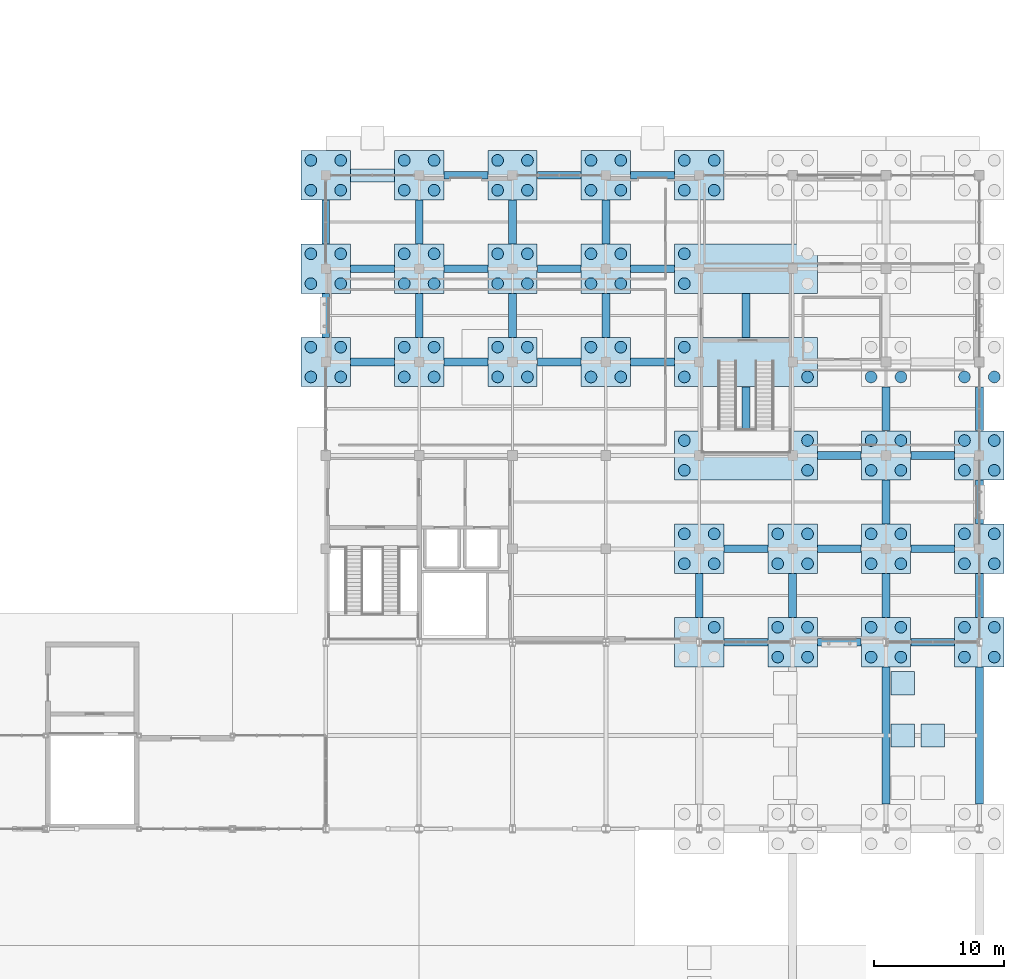
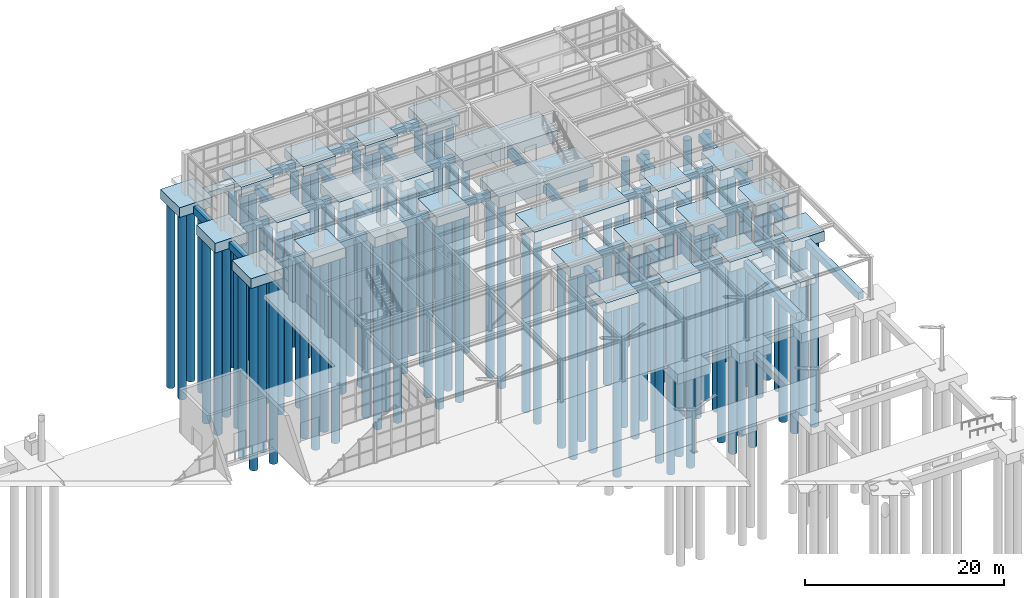
# One storey, part 3 of 75: 102 piles, 69 footings.
"""IFC4 building model written with IfcOpenShell, lengths in metres."""

from ifc_helpers import new_model, si_unit, direction, frame, origin, origin_2d, place, context, subcontext, project, spatial, rectangle, circle, extrude, material, material_profile, profile_set, type_object, element, save


model = new_model("IFC4")

# Units and contexts
model_context = context("Model", 3, precision=1e-05, world=origin(), true_north=direction((0.0, 1.0)))
body_context = subcontext(model_context, "Body", "Model", "MODEL_VIEW")
ifc_project = project(units=[si_unit("LENGTHUNIT", "METRE"), si_unit("AREAUNIT", "SQUARE_METRE"), si_unit("VOLUMEUNIT", "CUBIC_METRE"), si_unit("PLANEANGLEUNIT", "RADIAN"), si_unit("MASSUNIT", "GRAM", prefix="KILO")], contexts=[model_context])

# Site, building, storey
site_placement = place(None, origin())
site = spatial("IfcSite", under=ifc_project, at=site_placement, CompositionType="ELEMENT")
building_placement = place(site_placement, origin())
building = spatial("IfcBuilding", under=site, at=building_placement, Name="Leyfeld Transit Interchange", CompositionType="ELEMENT")
storey_placement = place(building_placement, origin())
storey = spatial("IfcBuildingStorey", under=building, at=storey_placement, Name="L00", CompositionType="ELEMENT", Elevation=0.0)

# Footings
ifc_material = material(Name="Concrete C35/45", Category="concrete")
footing_type_1 = type_object("IfcFootingType", Name="FT-GB-500x800", PredefinedType="FOOTING_BEAM", material=ifc_material)
for number, where, z_axis, x_axis, name in (
    (1, (140.39990234375, 79.199951171875, -1.300048828125), (0.0, 0.0, 1.0), (1.0, 0.0, 0.0), "Ground Beam 049"),
    (2, (140.39990234375, 86.39990234375, -1.300048828125), (0.0, 0.0, 1.0), (1.0, 0.0, 0.0), "Ground Beam 051"),
    (3, (147.60009765625, 79.199951171875, -1.300048828125), (0.0, 0.0, 1.0), (1.0, 0.0, 0.0), "Ground Beam 055"),
    (4, (147.60009765625, 86.39990234375, -1.300048828125), (0.0, 0.0, 1.0), (1.0, 0.0, 0.0), "Ground Beam 057"),
    (5, (154.800048828125, 93.60009765625, -1.300048828125), (0.0, 0.0, 1.0), (1.0, 0.0, 0.0), "Ground Beam 063"),
    (6, (162.0, 93.60009765625, -1.300048828125), (0.0, 0.0, 1.0), (1.0, 0.0, 0.0), "Ground Beam 069"),
    (7, (169.199951171875, 57.60009765625, -1.300048828125), (0.0, 0.0, 1.0), (1.0, 0.0, 0.0), "Ground Beam 073"),
    (8, (176.39990234375, 64.800048828125, -1.300048828125), (0.0, 0.0, 1.0), (1.0, 0.0, 0.0), "Ground Beam 091"),
):
    element("IfcFooting", number, at=place(storey_placement, frame(where, z_axis=z_axis, x_axis=x_axis)), inside=storey, type_object=footing_type_1, Name=name, PredefinedType="FOOTING_BEAM", context=body_context, shape_type="SweptSolid", body=[
        extrude(rectangle(XDim=3.3798828125, YDim=0.60009765625, at=origin_2d()), origin(), (0.0, 0.0, 1.0), 0.89990234375),
    ])
footing_type_2 = type_object("IfcFootingType", Name="FT-GB-600x900", PredefinedType="FOOTING_BEAM", material=ifc_material)
for number, where, z_axis, x_axis, name in (
    (9, (136.800048828125, 82.800048828125, -1.300048828125), (0.0, 0.0, 1.0), (1.0, 0.0, 0.0), "Ground Beam 048"),
    (10, (136.800048828125, 90.0, -1.300048828125), (0.0, 0.0, 1.0), (1.0, 0.0, 0.0), "Ground Beam 050"),
    (11, (144.0, 82.800048828125, -1.300048828125), (0.0, 0.0, 1.0), (1.0, 0.0, 0.0), "Ground Beam 054"),
    (12, (144.0, 90.0, -1.300048828125), (0.0, 0.0, 1.0), (1.0, 0.0, 0.0), "Ground Beam 056"),
):
    element("IfcFooting", number, at=place(storey_placement, frame(where, z_axis=z_axis, x_axis=x_axis)), inside=storey, type_object=footing_type_2, Name=name, PredefinedType="FOOTING_BEAM", context=body_context, shape_type="SweptSolid", body=[
        extrude(rectangle(XDim=0.60009765625, YDim=3.3798828125, at=origin_2d()), origin(), (0.0, 0.0, 1.0), 0.89990234375),
    ])
footing_1_placement = place(storey_placement, frame((147.60009765625, 93.60009765625, -1.300048828125), z_axis=(0.0, 0.0, 1.0), x_axis=(1.0, 0.0, 0.0)))
element("IfcFooting", 13, at=footing_1_placement, inside=storey, type_object=footing_type_2, Name="Ground Beam 058", PredefinedType="FOOTING_BEAM", context=body_context, shape_type="SweptSolid", body=[
    extrude(rectangle(XDim=3.3798828125, YDim=0.60009765625, at=origin_2d()), origin(), (0.0, 0.0, 1.0), 0.89990234375),
])
footing_2_placement = place(storey_placement, frame((151.199951171875, 82.800048828125, -1.300048828125), z_axis=(0.0, 0.0, 1.0), x_axis=(1.0, 0.0, 0.0)))
element("IfcFooting", 14, at=footing_2_placement, inside=storey, type_object=footing_type_2, Name="Ground Beam 059", PredefinedType="FOOTING_BEAM", context=body_context, shape_type="SweptSolid", body=[
    extrude(rectangle(XDim=0.60009765625, YDim=3.3798828125, at=origin_2d()), origin(), (0.0, 0.0, 1.0), 0.89990234375),
])
footing_3_placement = place(storey_placement, frame((154.800048828125, 79.199951171875, -1.300048828125), z_axis=(0.0, 0.0, 1.0), x_axis=(1.0, 0.0, 0.0)))
element("IfcFooting", 15, at=footing_3_placement, inside=storey, type_object=footing_type_2, Name="Ground Beam 060", PredefinedType="FOOTING_BEAM", context=body_context, shape_type="SweptSolid", body=[
    extrude(rectangle(XDim=3.3798828125, YDim=0.60009765625, at=origin_2d()), origin(), (0.0, 0.0, 1.0), 0.89990234375),
])
footing_4_placement = place(storey_placement, frame((151.199951171875, 90.0, -1.300048828125), z_axis=(0.0, 0.0, 1.0), x_axis=(1.0, 0.0, 0.0)))
element("IfcFooting", 16, at=footing_4_placement, inside=storey, type_object=footing_type_2, Name="Ground Beam 061", PredefinedType="FOOTING_BEAM", context=body_context, shape_type="SweptSolid", body=[
    extrude(rectangle(XDim=0.60009765625, YDim=3.3798828125, at=origin_2d()), origin(), (0.0, 0.0, 1.0), 0.89990234375),
])
footing_5_placement = place(storey_placement, frame((154.800048828125, 86.39990234375, -1.300048828125), z_axis=(0.0, 0.0, 1.0), x_axis=(1.0, 0.0, 0.0)))
element("IfcFooting", 17, at=footing_5_placement, inside=storey, type_object=footing_type_2, Name="Ground Beam 062", PredefinedType="FOOTING_BEAM", context=body_context, shape_type="SweptSolid", body=[
    extrude(rectangle(XDim=3.3798828125, YDim=0.60009765625, at=origin_2d()), origin(), (0.0, 0.0, 1.0), 0.89990234375),
])
footing_6_placement = place(storey_placement, frame((158.39990234375, 82.800048828125, -1.300048828125), z_axis=(0.0, 0.0, 1.0), x_axis=(1.0, 0.0, 0.0)))
element("IfcFooting", 18, at=footing_6_placement, inside=storey, type_object=footing_type_2, Name="Ground Beam 065", PredefinedType="FOOTING_BEAM", context=body_context, shape_type="SweptSolid", body=[
    extrude(rectangle(XDim=0.60009765625, YDim=3.3798828125, at=origin_2d()), origin(), (0.0, 0.0, 1.0), 0.89990234375),
])
footing_7_placement = place(storey_placement, frame((162.0, 79.199951171875, -1.300048828125), z_axis=(0.0, 0.0, 1.0), x_axis=(1.0, 0.0, 0.0)))
element("IfcFooting", 19, at=footing_7_placement, inside=storey, type_object=footing_type_2, Name="Ground Beam 066", PredefinedType="FOOTING_BEAM", context=body_context, shape_type="SweptSolid", body=[
    extrude(rectangle(XDim=3.3798828125, YDim=0.60009765625, at=origin_2d()), origin(), (0.0, 0.0, 1.0), 0.89990234375),
])
footing_8_placement = place(storey_placement, frame((158.39990234375, 90.0, -1.300048828125), z_axis=(0.0, 0.0, 1.0), x_axis=(1.0, 0.0, 0.0)))
element("IfcFooting", 20, at=footing_8_placement, inside=storey, type_object=footing_type_2, Name="Ground Beam 067", PredefinedType="FOOTING_BEAM", context=body_context, shape_type="SweptSolid", body=[
    extrude(rectangle(XDim=0.60009765625, YDim=3.3798828125, at=origin_2d()), origin(), (0.0, 0.0, 1.0), 0.89990234375),
])
footing_9_placement = place(storey_placement, frame((162.0, 86.39990234375, -1.300048828125), z_axis=(0.0, 0.0, 1.0), x_axis=(1.0, 0.0, 0.0)))
element("IfcFooting", 21, at=footing_9_placement, inside=storey, type_object=footing_type_2, Name="Ground Beam 068", PredefinedType="FOOTING_BEAM", context=body_context, shape_type="SweptSolid", body=[
    extrude(rectangle(XDim=3.3798828125, YDim=0.60009765625, at=origin_2d()), origin(), (0.0, 0.0, 1.0), 0.89990234375),
])
footing_10_placement = place(storey_placement, frame((165.60009765625, 61.199951171875, -1.300048828125), z_axis=(0.0, 0.0, 1.0), x_axis=(1.0, 0.0, 0.0)))
element("IfcFooting", 22, at=footing_10_placement, inside=storey, type_object=footing_type_2, Name="Ground Beam 072", PredefinedType="FOOTING_BEAM", context=body_context, shape_type="SweptSolid", body=[
    extrude(rectangle(XDim=0.60009765625, YDim=3.3798828125, at=origin_2d()), origin(), (0.0, 0.0, 1.0), 0.89990234375),
])
footing_11_placement = place(storey_placement, frame((169.199951171875, 64.800048828125, -1.300048828125), z_axis=(0.0, 0.0, 1.0), x_axis=(1.0, 0.0, 0.0)))
element("IfcFooting", 23, at=footing_11_placement, inside=storey, type_object=footing_type_2, Name="Ground Beam 074", PredefinedType="FOOTING_BEAM", context=body_context, shape_type="SweptSolid", body=[
    extrude(rectangle(XDim=3.3798828125, YDim=0.60009765625, at=origin_2d()), origin(), (0.0, 0.0, 1.0), 0.89990234375),
])
footing_12_placement = place(storey_placement, frame((169.199951171875, 75.60009765625, -1.300048828125), z_axis=(0.0, 0.0, 1.0), x_axis=(1.0, 0.0, 0.0)))
element("IfcFooting", 24, at=footing_12_placement, inside=storey, type_object=footing_type_2, Name="Ground Beam 075", PredefinedType="FOOTING_BEAM", context=body_context, shape_type="SweptSolid", body=[
    extrude(rectangle(XDim=0.60009765625, YDim=3.3798828125, at=origin_2d()), origin(), (0.0, 0.0, 1.0), 0.89990234375),
])
footing_13_placement = place(storey_placement, frame((176.39990234375, 72.0, -1.300048828125), z_axis=(0.0, 0.0, 1.0), x_axis=(1.0, 0.0, 0.0)))
element("IfcFooting", 25, at=footing_13_placement, inside=storey, type_object=footing_type_2, Name="Ground Beam 076", PredefinedType="FOOTING_BEAM", context=body_context, shape_type="SweptSolid", body=[
    extrude(rectangle(XDim=3.3798828125, YDim=0.60009765625, at=origin_2d()), origin(), (0.0, 0.0, 1.0), 0.89990234375),
])
for number, where, z_axis, x_axis, name in (
    (26, (169.199951171875, 82.800048828125, -1.300048828125), (0.0, 0.0, 1.0), (1.0, 0.0, 0.0), "Ground Beam 077"),
    (27, (172.800048828125, 61.199951171875, -1.300048828125), (0.0, 0.0, 1.0), (1.0, 0.0, 0.0), "Ground Beam 089"),
):
    element("IfcFooting", number, at=place(storey_placement, frame(where, z_axis=z_axis, x_axis=x_axis)), inside=storey, type_object=footing_type_2, Name=name, PredefinedType="FOOTING_BEAM", context=body_context, shape_type="SweptSolid", body=[
        extrude(rectangle(XDim=0.60009765625, YDim=3.3798828125, at=origin_2d()), origin(), (0.0, 0.0, 1.0), 0.89990234375),
    ])
footing_14_placement = place(storey_placement, frame((176.39990234375, 57.60009765625, -1.300048828125), z_axis=(0.0, 0.0, 1.0), x_axis=(1.0, 0.0, 0.0)))
element("IfcFooting", 28, at=footing_14_placement, inside=storey, type_object=footing_type_2, Name="Ground Beam 090", PredefinedType="FOOTING_BEAM", context=body_context, shape_type="SweptSolid", body=[
    extrude(rectangle(XDim=3.3798828125, YDim=0.60009765625, at=origin_2d()), origin(), (0.0, 0.0, 1.0), 0.89990234375),
])
footing_15_placement = place(storey_placement, frame((180.0, 50.39990234375, -1.300048828125), z_axis=(0.0, 0.0, 1.0), x_axis=(1.0, 0.0, 0.0)))
element("IfcFooting", 29, at=footing_15_placement, inside=storey, type_object=footing_type_2, Name="Ground Beam 093", PredefinedType="FOOTING_BEAM", context=body_context, shape_type="SweptSolid", body=[
    extrude(rectangle(XDim=0.60009765625, YDim=10.580078125, at=origin_2d()), origin(), (0.0, 0.0, 1.0), 0.89990234375),
])
footing_16_placement = place(storey_placement, frame((180.0, 61.199951171875, -1.300048828125), z_axis=(0.0, 0.0, 1.0), x_axis=(1.0, 0.0, 0.0)))
element("IfcFooting", 30, at=footing_16_placement, inside=storey, type_object=footing_type_2, Name="Ground Beam 095", PredefinedType="FOOTING_BEAM", context=body_context, shape_type="SweptSolid", body=[
    extrude(rectangle(XDim=0.60009765625, YDim=3.3798828125, at=origin_2d()), origin(), (0.0, 0.0, 1.0), 0.89990234375),
])
footing_17_placement = place(storey_placement, frame((183.60009765625, 57.60009765625, -1.300048828125), z_axis=(0.0, 0.0, 1.0), x_axis=(1.0, 0.0, 0.0)))
element("IfcFooting", 31, at=footing_17_placement, inside=storey, type_object=footing_type_2, Name="Ground Beam 096", PredefinedType="FOOTING_BEAM", context=body_context, shape_type="SweptSolid", body=[
    extrude(rectangle(XDim=3.3798828125, YDim=0.60009765625, at=origin_2d()), origin(), (0.0, 0.0, 1.0), 0.89990234375),
])
footing_18_placement = place(storey_placement, frame((180.0, 68.39990234375, -1.300048828125), z_axis=(0.0, 0.0, 1.0), x_axis=(1.0, 0.0, 0.0)))
element("IfcFooting", 32, at=footing_18_placement, inside=storey, type_object=footing_type_2, Name="Ground Beam 097", PredefinedType="FOOTING_BEAM", context=body_context, shape_type="SweptSolid", body=[
    extrude(rectangle(XDim=0.60009765625, YDim=3.3798828125, at=origin_2d()), origin(), (0.0, 0.0, 1.0), 0.89990234375),
])
footing_19_placement = place(storey_placement, frame((183.60009765625, 64.800048828125, -1.300048828125), z_axis=(0.0, 0.0, 1.0), x_axis=(1.0, 0.0, 0.0)))
element("IfcFooting", 33, at=footing_19_placement, inside=storey, type_object=footing_type_2, Name="Ground Beam 098", PredefinedType="FOOTING_BEAM", context=body_context, shape_type="SweptSolid", body=[
    extrude(rectangle(XDim=3.3798828125, YDim=0.60009765625, at=origin_2d()), origin(), (0.0, 0.0, 1.0), 0.89990234375),
])
footing_20_placement = place(storey_placement, frame((180.0, 75.60009765625, -1.300048828125), z_axis=(0.0, 0.0, 1.0), x_axis=(1.0, 0.0, 0.0)))
element("IfcFooting", 34, at=footing_20_placement, inside=storey, type_object=footing_type_2, Name="Ground Beam 099", PredefinedType="FOOTING_BEAM", context=body_context, shape_type="SweptSolid", body=[
    extrude(rectangle(XDim=0.60009765625, YDim=3.3798828125, at=origin_2d()), origin(), (0.0, 0.0, 1.0), 0.89990234375),
])
footing_21_placement = place(storey_placement, frame((183.60009765625, 72.0, -1.300048828125), z_axis=(0.0, 0.0, 1.0), x_axis=(1.0, 0.0, 0.0)))
element("IfcFooting", 35, at=footing_21_placement, inside=storey, type_object=footing_type_2, Name="Ground Beam 100", PredefinedType="FOOTING_BEAM", context=body_context, shape_type="SweptSolid", body=[
    extrude(rectangle(XDim=3.3798828125, YDim=0.60009765625, at=origin_2d()), origin(), (0.0, 0.0, 1.0), 0.89990234375),
])
footing_22_placement = place(storey_placement, frame((187.199951171875, 50.39990234375, -1.300048828125), z_axis=(0.0, 0.0, 1.0), x_axis=(1.0, 0.0, 0.0)))
element("IfcFooting", 36, at=footing_22_placement, inside=storey, type_object=footing_type_2, Name="Ground Beam 109", PredefinedType="FOOTING_BEAM", context=body_context, shape_type="SweptSolid", body=[
    extrude(rectangle(XDim=0.60009765625, YDim=10.580078125, at=origin_2d()), origin(), (0.0, 0.0, 1.0), 0.89990234375),
])
for number, where, z_axis, x_axis, name in (
    (37, (187.199951171875, 61.199951171875, -1.300048828125), (0.0, 0.0, 1.0), (1.0, 0.0, 0.0), "Ground Beam 110"),
    (38, (187.199951171875, 68.39990234375, -1.300048828125), (0.0, 0.0, 1.0), (1.0, 0.0, 0.0), "Ground Beam 111"),
    (39, (187.199951171875, 75.60009765625, -1.300048828125), (0.0, 0.0, 1.0), (1.0, 0.0, 0.0), "Ground Beam 112"),
):
    element("IfcFooting", number, at=place(storey_placement, frame(where, z_axis=z_axis, x_axis=x_axis)), inside=storey, type_object=footing_type_2, Name=name, PredefinedType="FOOTING_BEAM", context=body_context, shape_type="SweptSolid", body=[
        extrude(rectangle(XDim=0.60009765625, YDim=3.3798828125, at=origin_2d()), origin(), (0.0, 0.0, 1.0), 0.89990234375),
    ])
footing_type_3 = type_object("IfcFootingType", Name="FT-PAD-1800", PredefinedType="PAD_FOOTING", material=ifc_material)
for number, where, z_axis, x_axis, name in (
    (40, (181.2958984375, 50.39990234375, -1.0), (0.0, 0.0, 1.0), (1.0, 0.0, 0.0), "Slab Support Pad Footing 021"),
    (41, (181.2958984375, 54.431884765625, -1.0), (0.0, 0.0, 1.0), (1.0, 0.0, 0.0), "Slab Support Pad Footing 022"),
    (42, (183.60009765625, 50.39990234375, -1.0), (0.0, 0.0, 1.0), (1.0, 0.0, 0.0), "Slab Support Pad Footing 024"),
):
    element("IfcFooting", number, at=place(storey_placement, frame(where, z_axis=z_axis, x_axis=x_axis)), inside=storey, type_object=footing_type_3, Name=name, PredefinedType="PAD_FOOTING", context=body_context, shape_type="SweptSolid", body=[
        extrude(rectangle(XDim=1.800048828125, YDim=1.800048828125, at=origin_2d()), origin(), (0.0, 0.0, 1.0), 0.699951171875),
    ])
footing_type_4 = type_object("IfcFootingType", Name="FT-PC-11000x3800", PredefinedType="PILE_CAP", material=ifc_material)
for number, where, z_axis, x_axis, name in (
    (43, (169.199951171875, 72.0, -1.39990234375), (0.0, 0.0, 1.0), (1.0, 0.0, 0.0), "Foundation FTG-L00-058"),
    (44, (169.199951171875, 79.199951171875, -1.39990234375), (0.0, 0.0, 1.0), (1.0, 0.0, 0.0), "Foundation FTG-L00-059"),
    (45, (169.199951171875, 86.39990234375, -1.39990234375), (0.0, 0.0, 1.0), (1.0, 0.0, 0.0), "Foundation FTG-L00-060"),
):
    element("IfcFooting", number, at=place(storey_placement, frame(where, z_axis=z_axis, x_axis=x_axis)), inside=storey, type_object=footing_type_4, Name=name, PredefinedType="PILE_CAP", context=body_context, shape_type="SweptSolid", body=[
        extrude(rectangle(XDim=11.0, YDim=3.800048828125, at=origin_2d()), origin(), (0.0, 0.0, 1.0), 1.39990234375),
    ])
footing_type_5 = type_object("IfcFootingType", Name="FT-PC-3800x3800", PredefinedType="PILE_CAP", material=ifc_material)
for number, where, z_axis, x_axis, name in (
    (46, (136.800048828125, 79.199951171875, -1.2001953125), (0.0, 0.0, 1.0), (1.0, 0.0, 0.0), "Foundation FTG-L00-041"),
    (47, (136.800048828125, 86.39990234375, -1.2001953125), (0.0, 0.0, 1.0), (1.0, 0.0, 0.0), "Foundation FTG-L00-042"),
    (48, (136.800048828125, 93.60009765625, -1.2001953125), (0.0, 0.0, 1.0), (1.0, 0.0, 0.0), "Foundation FTG-L00-043"),
    (49, (144.0, 79.199951171875, -1.2001953125), (0.0, 0.0, 1.0), (1.0, 0.0, 0.0), "Foundation FTG-L00-045"),
    (50, (144.0, 86.39990234375, -1.2001953125), (0.0, 0.0, 1.0), (1.0, 0.0, 0.0), "Foundation FTG-L00-046"),
    (51, (144.0, 93.60009765625, -1.2001953125), (0.0, 0.0, 1.0), (1.0, 0.0, 0.0), "Foundation FTG-L00-047"),
    (52, (151.199951171875, 79.199951171875, -1.2001953125), (0.0, 0.0, 1.0), (1.0, 0.0, 0.0), "Foundation FTG-L00-048"),
    (53, (151.199951171875, 86.39990234375, -1.2001953125), (0.0, 0.0, 1.0), (1.0, 0.0, 0.0), "Foundation FTG-L00-049"),
    (54, (151.199951171875, 93.60009765625, -1.2001953125), (0.0, 0.0, 1.0), (1.0, 0.0, 0.0), "Foundation FTG-L00-050"),
    (55, (158.39990234375, 79.199951171875, -1.2001953125), (0.0, 0.0, 1.0), (1.0, 0.0, 0.0), "Foundation FTG-L00-052"),
    (56, (158.39990234375, 86.39990234375, -1.2001953125), (0.0, 0.0, 1.0), (1.0, 0.0, 0.0), "Foundation FTG-L00-053"),
    (57, (158.39990234375, 93.60009765625, -1.2001953125), (0.0, 0.0, 1.0), (1.0, 0.0, 0.0), "Foundation FTG-L00-054"),
    (58, (165.60009765625, 57.60009765625, -1.2001953125), (0.0, 0.0, 1.0), (1.0, 0.0, 0.0), "Foundation FTG-L00-056"),
    (59, (165.60009765625, 64.800048828125, -1.2001953125), (0.0, 0.0, 1.0), (1.0, 0.0, 0.0), "Foundation FTG-L00-057"),
    (60, (165.60009765625, 93.60009765625, -1.2001953125), (0.0, 0.0, 1.0), (1.0, 0.0, 0.0), "Foundation FTG-L00-061"),
    (61, (172.800048828125, 57.60009765625, -1.2001953125), (0.0, 0.0, 1.0), (1.0, 0.0, 0.0), "Foundation FTG-L00-066"),
    (62, (172.800048828125, 64.800048828125, -1.2001953125), (0.0, 0.0, 1.0), (1.0, 0.0, 0.0), "Foundation FTG-L00-067"),
    (63, (180.0, 57.60009765625, -1.2001953125), (0.0, 0.0, 1.0), (1.0, 0.0, 0.0), "Foundation FTG-L00-070"),
    (64, (180.0, 64.800048828125, -1.2001953125), (0.0, 0.0, 1.0), (1.0, 0.0, 0.0), "Foundation FTG-L00-071"),
    (65, (180.0, 72.0, -1.2001953125), (0.0, 0.0, 1.0), (1.0, 0.0, 0.0), "Foundation FTG-L00-072"),
    (66, (187.199951171875, 57.60009765625, -1.2001953125), (0.0, 0.0, 1.0), (1.0, 0.0, 0.0), "Foundation FTG-L00-080"),
    (67, (187.199951171875, 64.800048828125, -1.2001953125), (0.0, 0.0, 1.0), (1.0, 0.0, 0.0), "Foundation FTG-L00-081"),
    (68, (187.199951171875, 72.0, -1.2001953125), (0.0, 0.0, 1.0), (1.0, 0.0, 0.0), "Foundation FTG-L00-082"),
):
    element("IfcFooting", number, at=place(storey_placement, frame(where, z_axis=z_axis, x_axis=x_axis)), inside=storey, type_object=footing_type_5, Name=name, PredefinedType="PILE_CAP", context=body_context, shape_type="SweptSolid", body=[
        extrude(rectangle(XDim=3.800048828125, YDim=3.800048828125, at=origin_2d()), origin(), (0.0, 0.0, 1.0), 1.199951171875),
    ])
footing_type_6 = type_object("IfcFootingType", Name="FT-SF-1200x700", PredefinedType="STRIP_FOOTING", material=ifc_material)
footing_23_placement = place(storey_placement, frame((140.39990234375, 93.60009765625, -1.10009765625), z_axis=(0.0, 0.0, 1.0), x_axis=(1.0, 0.0, 0.0)))
element("IfcFooting", 69, at=footing_23_placement, inside=storey, type_object=footing_type_6, Name="Strip Footing 016", PredefinedType="STRIP_FOOTING", context=body_context, shape_type="SweptSolid", body=[
    extrude(rectangle(XDim=3.3798828125, YDim=1.0, at=origin_2d()), origin(), (0.0, 0.0, 1.0), 0.699951171875),
])

# Piles
ifc_material_profile = material_profile(ifc_material, circle(Radius=0.449951171875, at=origin_2d()), Name="PILE D900")
ifc_profile_set = profile_set([ifc_material_profile], Name="Concrete C35/45")
pile_type = type_object("IfcPileType", Name="PILE-PL-900", PredefinedType="BORED", material=ifc_profile_set)
for number, where, z_axis, x_axis, name in (
    (70, (135.64990234375, 78.050048828125, -1.050048828125), (0.0, 0.0, -1.0), (1.0, 0.0, 0.0), "Cap Bored Pile 0327"),
    (71, (135.64990234375, 80.35009765625, -1.050048828125), (0.0, 0.0, -1.0), (1.0, 0.0, 0.0), "Cap Bored Pile 0328"),
    (72, (137.949951171875, 78.050048828125, -1.050048828125), (0.0, 0.0, -1.0), (1.0, 0.0, 0.0), "Cap Bored Pile 0329"),
    (73, (137.949951171875, 80.35009765625, -1.050048828125), (0.0, 0.0, -1.0), (1.0, 0.0, 0.0), "Cap Bored Pile 0330"),
    (74, (135.64990234375, 85.25, -1.050048828125), (0.0, 0.0, -1.0), (1.0, 0.0, 0.0), "Cap Bored Pile 0331"),
    (75, (135.64990234375, 87.550048828125, -1.050048828125), (0.0, 0.0, -1.0), (1.0, 0.0, 0.0), "Cap Bored Pile 0332"),
    (76, (137.949951171875, 85.25, -1.050048828125), (0.0, 0.0, -1.0), (1.0, 0.0, 0.0), "Cap Bored Pile 0333"),
    (77, (137.949951171875, 87.550048828125, -1.050048828125), (0.0, 0.0, -1.0), (1.0, 0.0, 0.0), "Cap Bored Pile 0334"),
    (78, (135.64990234375, 92.449951171875, -1.050048828125), (0.0, 0.0, -1.0), (1.0, 0.0, 0.0), "Cap Bored Pile 0335"),
    (79, (135.64990234375, 94.75, -1.050048828125), (0.0, 0.0, -1.0), (1.0, 0.0, 0.0), "Cap Bored Pile 0336"),
    (80, (137.949951171875, 92.449951171875, -1.050048828125), (0.0, 0.0, -1.0), (1.0, 0.0, 0.0), "Cap Bored Pile 0337"),
    (81, (137.949951171875, 94.75, -1.050048828125), (0.0, 0.0, -1.0), (1.0, 0.0, 0.0), "Cap Bored Pile 0338"),
    (82, (142.85009765625, 78.050048828125, -1.050048828125), (0.0, 0.0, -1.0), (1.0, 0.0, 0.0), "Cap Bored Pile 0343"),
    (83, (142.85009765625, 80.35009765625, -1.050048828125), (0.0, 0.0, -1.0), (1.0, 0.0, 0.0), "Cap Bored Pile 0344"),
    (84, (145.14990234375, 78.050048828125, -1.050048828125), (0.0, 0.0, -1.0), (1.0, 0.0, 0.0), "Cap Bored Pile 0345"),
    (85, (145.14990234375, 80.35009765625, -1.050048828125), (0.0, 0.0, -1.0), (1.0, 0.0, 0.0), "Cap Bored Pile 0346"),
    (86, (142.85009765625, 85.25, -1.050048828125), (0.0, 0.0, -1.0), (1.0, 0.0, 0.0), "Cap Bored Pile 0347"),
    (87, (142.85009765625, 87.550048828125, -1.050048828125), (0.0, 0.0, -1.0), (1.0, 0.0, 0.0), "Cap Bored Pile 0348"),
    (88, (145.14990234375, 85.25, -1.050048828125), (0.0, 0.0, -1.0), (1.0, 0.0, 0.0), "Cap Bored Pile 0349"),
    (89, (145.14990234375, 87.550048828125, -1.050048828125), (0.0, 0.0, -1.0), (1.0, 0.0, 0.0), "Cap Bored Pile 0350"),
    (90, (142.85009765625, 92.449951171875, -1.050048828125), (0.0, 0.0, -1.0), (1.0, 0.0, 0.0), "Cap Bored Pile 0351"),
    (91, (142.85009765625, 94.75, -1.050048828125), (0.0, 0.0, -1.0), (1.0, 0.0, 0.0), "Cap Bored Pile 0352"),
    (92, (145.14990234375, 92.449951171875, -1.050048828125), (0.0, 0.0, -1.0), (1.0, 0.0, 0.0), "Cap Bored Pile 0353"),
    (93, (145.14990234375, 94.75, -1.050048828125), (0.0, 0.0, -1.0), (1.0, 0.0, 0.0), "Cap Bored Pile 0354"),
    (94, (150.050048828125, 78.050048828125, -1.050048828125), (0.0, 0.0, -1.0), (1.0, 0.0, 0.0), "Cap Bored Pile 0355"),
    (95, (150.050048828125, 80.35009765625, -1.050048828125), (0.0, 0.0, -1.0), (1.0, 0.0, 0.0), "Cap Bored Pile 0356"),
    (96, (152.35009765625, 78.050048828125, -1.050048828125), (0.0, 0.0, -1.0), (1.0, 0.0, 0.0), "Cap Bored Pile 0357"),
    (97, (152.35009765625, 80.35009765625, -1.050048828125), (0.0, 0.0, -1.0), (1.0, 0.0, 0.0), "Cap Bored Pile 0358"),
    (98, (150.050048828125, 85.25, -1.050048828125), (0.0, 0.0, -1.0), (1.0, 0.0, 0.0), "Cap Bored Pile 0359"),
    (99, (150.050048828125, 87.550048828125, -1.050048828125), (0.0, 0.0, -1.0), (1.0, 0.0, 0.0), "Cap Bored Pile 0360"),
    (100, (152.35009765625, 85.25, -1.050048828125), (0.0, 0.0, -1.0), (1.0, 0.0, 0.0), "Cap Bored Pile 0361"),
    (101, (152.35009765625, 87.550048828125, -1.050048828125), (0.0, 0.0, -1.0), (1.0, 0.0, 0.0), "Cap Bored Pile 0362"),
    (102, (150.050048828125, 92.449951171875, -1.050048828125), (0.0, 0.0, -1.0), (1.0, 0.0, 0.0), "Cap Bored Pile 0363"),
    (103, (150.050048828125, 94.75, -1.050048828125), (0.0, 0.0, -1.0), (1.0, 0.0, 0.0), "Cap Bored Pile 0364"),
    (104, (152.35009765625, 92.449951171875, -1.050048828125), (0.0, 0.0, -1.0), (1.0, 0.0, 0.0), "Cap Bored Pile 0365"),
    (105, (152.35009765625, 94.75, -1.050048828125), (0.0, 0.0, -1.0), (1.0, 0.0, 0.0), "Cap Bored Pile 0366"),
    (106, (157.25, 78.050048828125, -1.050048828125), (0.0, 0.0, -1.0), (1.0, 0.0, 0.0), "Cap Bored Pile 0371"),
    (107, (157.25, 80.35009765625, -1.050048828125), (0.0, 0.0, -1.0), (1.0, 0.0, 0.0), "Cap Bored Pile 0372"),
    (108, (159.550048828125, 78.050048828125, -1.050048828125), (0.0, 0.0, -1.0), (1.0, 0.0, 0.0), "Cap Bored Pile 0373"),
    (109, (159.550048828125, 80.35009765625, -1.050048828125), (0.0, 0.0, -1.0), (1.0, 0.0, 0.0), "Cap Bored Pile 0374"),
    (110, (157.25, 85.25, -1.050048828125), (0.0, 0.0, -1.0), (1.0, 0.0, 0.0), "Cap Bored Pile 0375"),
    (111, (157.25, 87.550048828125, -1.050048828125), (0.0, 0.0, -1.0), (1.0, 0.0, 0.0), "Cap Bored Pile 0376"),
    (112, (159.550048828125, 85.25, -1.050048828125), (0.0, 0.0, -1.0), (1.0, 0.0, 0.0), "Cap Bored Pile 0377"),
    (113, (159.550048828125, 87.550048828125, -1.050048828125), (0.0, 0.0, -1.0), (1.0, 0.0, 0.0), "Cap Bored Pile 0378"),
    (114, (157.25, 92.449951171875, -1.050048828125), (0.0, 0.0, -1.0), (1.0, 0.0, 0.0), "Cap Bored Pile 0379"),
    (115, (157.25, 94.75, -1.050048828125), (0.0, 0.0, -1.0), (1.0, 0.0, 0.0), "Cap Bored Pile 0380"),
    (116, (159.550048828125, 92.449951171875, -1.050048828125), (0.0, 0.0, -1.0), (1.0, 0.0, 0.0), "Cap Bored Pile 0381"),
    (117, (159.550048828125, 94.75, -1.050048828125), (0.0, 0.0, -1.0), (1.0, 0.0, 0.0), "Cap Bored Pile 0382"),
    (118, (166.75, 58.75, -1.050048828125), (0.0, 0.0, -1.0), (1.0, 0.0, 0.0), "Cap Bored Pile 0390"),
    (119, (164.449951171875, 63.64990234375, -1.050048828125), (0.0, 0.0, -1.0), (1.0, 0.0, 0.0), "Cap Bored Pile 0391"),
    (120, (164.449951171875, 65.949951171875, -1.050048828125), (0.0, 0.0, -1.0), (1.0, 0.0, 0.0), "Cap Bored Pile 0392"),
    (121, (166.75, 63.64990234375, -1.050048828125), (0.0, 0.0, -1.0), (1.0, 0.0, 0.0), "Cap Bored Pile 0393"),
    (122, (166.75, 65.949951171875, -1.050048828125), (0.0, 0.0, -1.0), (1.0, 0.0, 0.0), "Cap Bored Pile 0394"),
):
    element("IfcPile", number, at=place(storey_placement, frame(where, z_axis=z_axis, x_axis=x_axis)), inside=storey, type_object=pile_type, Name=name, PredefinedType="BORED", context=body_context, shape_type="SweptSolid", body=[
        extrude(circle(Radius=0.449951171875, at=origin_2d()), origin(), (0.0, 0.0, 1.0), 22.949951171875),
    ])
for number, where, z_axis, x_axis, name in (
    (123, (164.449951171875, 70.85009765625, -1.25), (0.0, 0.0, -1.0), (1.0, 0.0, 0.0), "Cap Bored Pile 0395"),
    (124, (164.449951171875, 73.14990234375, -1.25), (0.0, 0.0, -1.0), (1.0, 0.0, 0.0), "Cap Bored Pile 0396"),
    (125, (173.949951171875, 70.85009765625, -1.25), (0.0, 0.0, -1.0), (1.0, 0.0, 0.0), "Cap Bored Pile 0397"),
    (126, (173.949951171875, 73.14990234375, -1.25), (0.0, 0.0, -1.0), (1.0, 0.0, 0.0), "Cap Bored Pile 0398"),
    (127, (164.449951171875, 78.050048828125, -1.25), (0.0, 0.0, -1.0), (1.0, 0.0, 0.0), "Cap Bored Pile 0399"),
    (128, (164.449951171875, 80.35009765625, -1.25), (0.0, 0.0, -1.0), (1.0, 0.0, 0.0), "Cap Bored Pile 0400"),
    (129, (173.949951171875, 78.050048828125, -1.25), (0.0, 0.0, -1.0), (1.0, 0.0, 0.0), "Cap Bored Pile 0401"),
    (130, (164.449951171875, 85.25, -1.25), (0.0, 0.0, -1.0), (1.0, 0.0, 0.0), "Cap Bored Pile 0403"),
    (131, (164.449951171875, 87.550048828125, -1.25), (0.0, 0.0, -1.0), (1.0, 0.0, 0.0), "Cap Bored Pile 0404"),
):
    element("IfcPile", number, at=place(storey_placement, frame(where, z_axis=z_axis, x_axis=x_axis)), inside=storey, type_object=pile_type, Name=name, PredefinedType="BORED", context=body_context, shape_type="SweptSolid", body=[
        extrude(circle(Radius=0.449951171875, at=origin_2d()), origin(), (0.0, 0.0, 1.0), 22.75),
    ])
for number, where, z_axis, x_axis, name in (
    (132, (164.449951171875, 92.449951171875, -1.050048828125), (0.0, 0.0, -1.0), (1.0, 0.0, 0.0), "Cap Bored Pile 0407"),
    (133, (164.449951171875, 94.75, -1.050048828125), (0.0, 0.0, -1.0), (1.0, 0.0, 0.0), "Cap Bored Pile 0408"),
    (134, (166.75, 92.449951171875, -1.050048828125), (0.0, 0.0, -1.0), (1.0, 0.0, 0.0), "Cap Bored Pile 0409"),
    (135, (166.75, 94.75, -1.050048828125), (0.0, 0.0, -1.0), (1.0, 0.0, 0.0), "Cap Bored Pile 0410"),
    (136, (171.64990234375, 56.449951171875, -1.050048828125), (0.0, 0.0, -1.0), (1.0, 0.0, 0.0), "Cap Bored Pile 0427"),
    (137, (171.64990234375, 58.75, -1.050048828125), (0.0, 0.0, -1.0), (1.0, 0.0, 0.0), "Cap Bored Pile 0428"),
    (138, (173.949951171875, 56.449951171875, -1.050048828125), (0.0, 0.0, -1.0), (1.0, 0.0, 0.0), "Cap Bored Pile 0429"),
    (139, (173.949951171875, 58.75, -1.050048828125), (0.0, 0.0, -1.0), (1.0, 0.0, 0.0), "Cap Bored Pile 0430"),
    (140, (171.64990234375, 63.64990234375, -1.050048828125), (0.0, 0.0, -1.0), (1.0, 0.0, 0.0), "Cap Bored Pile 0431"),
    (141, (171.64990234375, 65.949951171875, -1.050048828125), (0.0, 0.0, -1.0), (1.0, 0.0, 0.0), "Cap Bored Pile 0432"),
    (142, (173.949951171875, 63.64990234375, -1.050048828125), (0.0, 0.0, -1.0), (1.0, 0.0, 0.0), "Cap Bored Pile 0433"),
    (143, (173.949951171875, 65.949951171875, -1.050048828125), (0.0, 0.0, -1.0), (1.0, 0.0, 0.0), "Cap Bored Pile 0434"),
    (144, (178.85009765625, 56.449951171875, -1.050048828125), (0.0, 0.0, -1.0), (1.0, 0.0, 0.0), "Cap Bored Pile 0443"),
    (145, (178.85009765625, 58.75, -1.050048828125), (0.0, 0.0, -1.0), (1.0, 0.0, 0.0), "Cap Bored Pile 0444"),
    (146, (181.14990234375, 56.449951171875, -1.050048828125), (0.0, 0.0, -1.0), (1.0, 0.0, 0.0), "Cap Bored Pile 0445"),
    (147, (181.14990234375, 58.75, -1.050048828125), (0.0, 0.0, -1.0), (1.0, 0.0, 0.0), "Cap Bored Pile 0446"),
    (148, (178.85009765625, 63.64990234375, -1.050048828125), (0.0, 0.0, -1.0), (1.0, 0.0, 0.0), "Cap Bored Pile 0447"),
    (149, (178.85009765625, 65.949951171875, -1.050048828125), (0.0, 0.0, -1.0), (1.0, 0.0, 0.0), "Cap Bored Pile 0448"),
    (150, (181.14990234375, 63.64990234375, -1.050048828125), (0.0, 0.0, -1.0), (1.0, 0.0, 0.0), "Cap Bored Pile 0449"),
    (151, (181.14990234375, 65.949951171875, -1.050048828125), (0.0, 0.0, -1.0), (1.0, 0.0, 0.0), "Cap Bored Pile 0450"),
    (152, (178.85009765625, 70.85009765625, -1.050048828125), (0.0, 0.0, -1.0), (1.0, 0.0, 0.0), "Cap Bored Pile 0451"),
    (153, (178.85009765625, 73.14990234375, -1.050048828125), (0.0, 0.0, -1.0), (1.0, 0.0, 0.0), "Cap Bored Pile 0452"),
    (154, (181.14990234375, 70.85009765625, -1.050048828125), (0.0, 0.0, -1.0), (1.0, 0.0, 0.0), "Cap Bored Pile 0453"),
    (155, (181.14990234375, 73.14990234375, -1.050048828125), (0.0, 0.0, -1.0), (1.0, 0.0, 0.0), "Cap Bored Pile 0454"),
    (156, (178.85009765625, 78.050048828125, -1.050048828125), (0.0, 0.0, -1.0), (1.0, 0.0, 0.0), "Cap Bored Pile 0455"),
    (157, (181.14990234375, 78.050048828125, -1.050048828125), (0.0, 0.0, -1.0), (1.0, 0.0, 0.0), "Cap Bored Pile 0457"),
    (158, (186.050048828125, 56.449951171875, -1.050048828125), (0.0, 0.0, -1.0), (1.0, 0.0, 0.0), "Cap Bored Pile 0483"),
    (159, (186.050048828125, 58.75, -1.050048828125), (0.0, 0.0, -1.0), (1.0, 0.0, 0.0), "Cap Bored Pile 0484"),
    (160, (188.35009765625, 56.449951171875, -1.050048828125), (0.0, 0.0, -1.0), (1.0, 0.0, 0.0), "Cap Bored Pile 0485"),
    (161, (188.35009765625, 58.75, -1.050048828125), (0.0, 0.0, -1.0), (1.0, 0.0, 0.0), "Cap Bored Pile 0486"),
    (162, (186.050048828125, 63.64990234375, -1.050048828125), (0.0, 0.0, -1.0), (1.0, 0.0, 0.0), "Cap Bored Pile 0487"),
    (163, (186.050048828125, 65.949951171875, -1.050048828125), (0.0, 0.0, -1.0), (1.0, 0.0, 0.0), "Cap Bored Pile 0488"),
    (164, (188.35009765625, 63.64990234375, -1.050048828125), (0.0, 0.0, -1.0), (1.0, 0.0, 0.0), "Cap Bored Pile 0489"),
    (165, (188.35009765625, 65.949951171875, -1.050048828125), (0.0, 0.0, -1.0), (1.0, 0.0, 0.0), "Cap Bored Pile 0490"),
    (166, (186.050048828125, 70.85009765625, -1.050048828125), (0.0, 0.0, -1.0), (1.0, 0.0, 0.0), "Cap Bored Pile 0491"),
    (167, (186.050048828125, 73.14990234375, -1.050048828125), (0.0, 0.0, -1.0), (1.0, 0.0, 0.0), "Cap Bored Pile 0492"),
    (168, (188.35009765625, 70.85009765625, -1.050048828125), (0.0, 0.0, -1.0), (1.0, 0.0, 0.0), "Cap Bored Pile 0493"),
    (169, (188.35009765625, 73.14990234375, -1.050048828125), (0.0, 0.0, -1.0), (1.0, 0.0, 0.0), "Cap Bored Pile 0494"),
    (170, (186.050048828125, 78.050048828125, -1.050048828125), (0.0, 0.0, -1.0), (1.0, 0.0, 0.0), "Cap Bored Pile 0495"),
    (171, (188.35009765625, 78.050048828125, -1.050048828125), (0.0, 0.0, -1.0), (1.0, 0.0, 0.0), "Cap Bored Pile 0497"),
):
    element("IfcPile", number, at=place(storey_placement, frame(where, z_axis=z_axis, x_axis=x_axis)), inside=storey, type_object=pile_type, Name=name, PredefinedType="BORED", context=body_context, shape_type="SweptSolid", body=[
        extrude(circle(Radius=0.449951171875, at=origin_2d()), origin(), (0.0, 0.0, 1.0), 22.949951171875),
    ])

save(model, "model.ifc")
